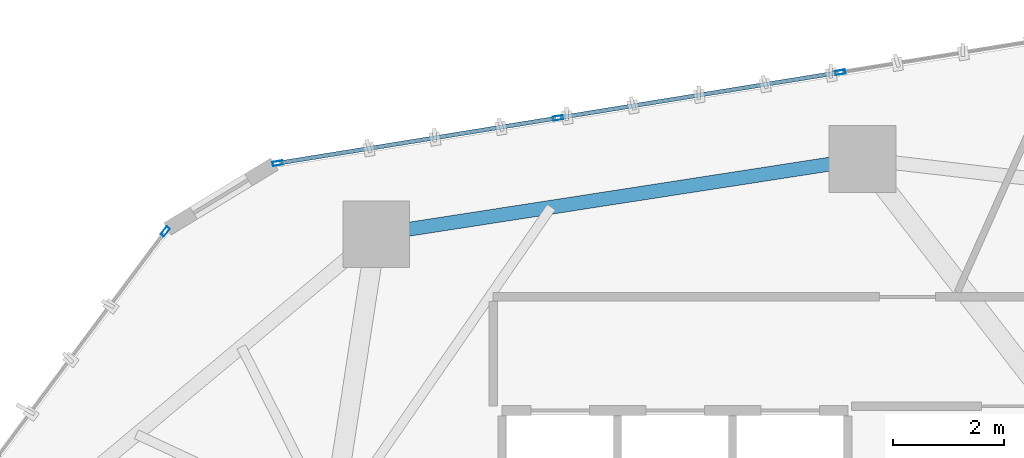
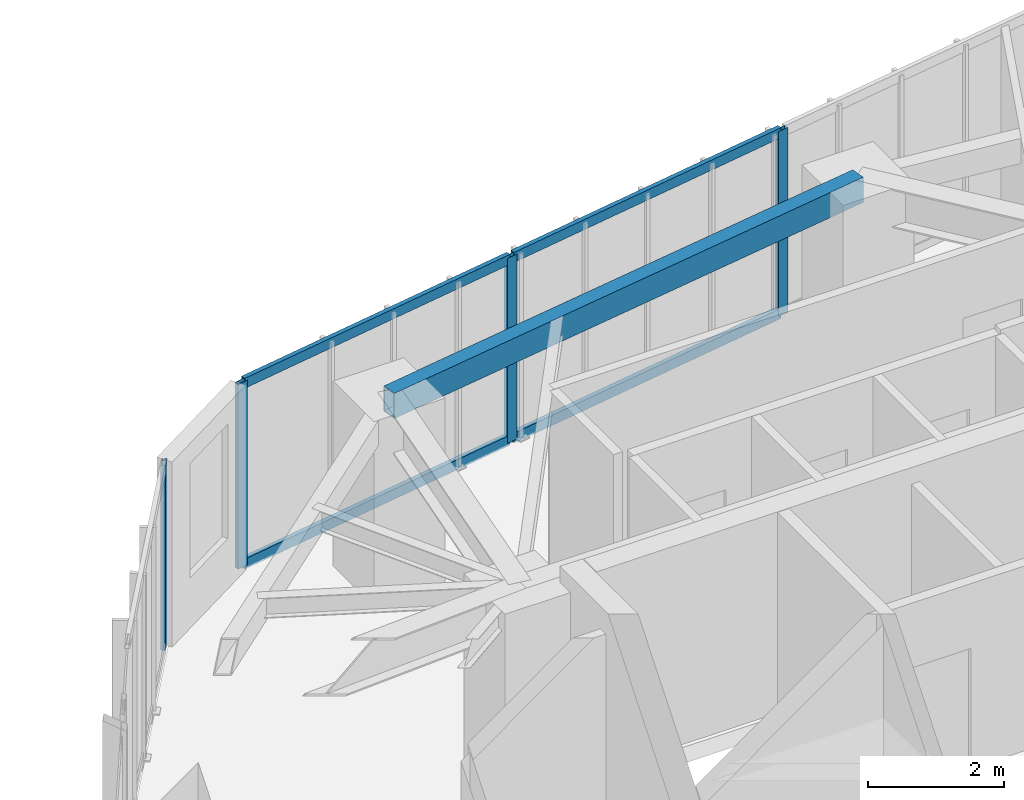
# One storey, part 15 of 23: 8 members, 1 beam, 2 elements without a shape of their own.
"""IFC4 building model written with IfcOpenShell, lengths in metres."""

import ifcopenshell
import ifcopenshell.guid

model = None  # the IFC model being written
_history = None  # IfcOwnerHistory: only IFC2X3 demands one
_inside = {}  # id of a spatial element -> (the spatial element, [elements in it])
_under = {}  # id of a project, library or spatial element -> (it, [spatial elements below it])
_declared = {}  # id of a project -> (the project, [libraries it declares])
_typed = {}  # id of a type object -> (the type object, [elements of that type])
_made_of = {}  # id of a material, layer set ... -> (it, [elements and type objects made of it])


def new_model(schema):
    """Start an empty IFC model of exactly this schema.

    Asked for "IFC4X3", IfcOpenShell would pick the latest addendum, in which some entities
    have other attributes; the version numbers below select the first issue.
    IFC2X3 requires an IfcOwnerHistory on every rooted entity: one is made here for all.
    """
    global model, _history
    if schema == "IFC4X3":
        model = ifcopenshell.file(schema_version=(4, 3, 0, 0))
    else:
        model = ifcopenshell.file(schema=schema)
    _inside.clear()
    _under.clear()
    _declared.clear()
    _typed.clear()
    _made_of.clear()
    _history = None
    if model.schema == "IFC2X3":
        org = make("IfcOrganization", Name="unknown")
        user = make(
            "IfcPersonAndOrganization",
            ThePerson=make("IfcPerson", FamilyName="unknown"),
            TheOrganization=org,
        )
        app = make(
            "IfcApplication",
            ApplicationDeveloper=org,
            Version="unknown",
            ApplicationFullName="unknown",
            ApplicationIdentifier="unknown",
        )
        _history = make(
            "IfcOwnerHistory",
            OwningUser=user,
            OwningApplication=app,
            ChangeAction="ADDED",
            CreationDate=0,
        )
    return model


def make(cls, **values):
    """One entity of the class cls with the attributes given. An attribute that is None is left unset."""
    return model.create_entity(
        cls, **{name: value for name, value in values.items() if value is not None}
    )


def rooted(cls, **values):
    """An entity with a GlobalId (a new one), such as an element, a storey or a relation."""
    return make(cls, GlobalId=ifcopenshell.guid.new(), OwnerHistory=_history, **values)


def si_unit(unit_type, name, prefix=None):
    """IfcSIUnit, for example si_unit("LENGTHUNIT", "METRE", prefix="MILLI")."""
    return make("IfcSIUnit", UnitType=unit_type, Prefix=prefix, Name=name)


def assignment(units):
    """IfcUnitAssignment: the units of a project."""
    return None if units is None else make("IfcUnitAssignment", Units=units)


def point(xyz):
    """IfcCartesianPoint."""
    return None if xyz is None else make("IfcCartesianPoint", Coordinates=xyz)


def direction(xyz):
    """IfcDirection."""
    return None if xyz is None else make("IfcDirection", DirectionRatios=xyz)


def frame(location, z_axis=None, x_axis=None):
    """IfcAxis2Placement3D, a coordinate frame: its origin and axes. An axis left out is left unset."""
    return make(
        "IfcAxis2Placement3D",
        Location=point(location),
        Axis=direction(z_axis),
        RefDirection=direction(x_axis),
    )


def frame_2d(location, x_axis=None):
    """IfcAxis2Placement2D, a coordinate frame in the plane: its origin and x axis."""
    return make(
        "IfcAxis2Placement2D", Location=point(location), RefDirection=direction(x_axis)
    )


def origin():
    """The frame at (0, 0, 0) with its axes left unset."""
    return frame((0.0, 0.0, 0.0))


def origin_2d():
    """The frame at (0, 0) in the plane with its x axis left unset."""
    return frame_2d((0.0, 0.0))


def place(relative_to, where):
    """IfcLocalPlacement: puts the frame where relative to a parent placement (None: the world)."""
    return make(
        "IfcLocalPlacement", PlacementRelTo=relative_to, RelativePlacement=where
    )


def context(
    kind, dimensions, precision=None, world=None, true_north=None, identifier=None
):
    """IfcGeometricRepresentationContext, for example the 3D "Model" context."""
    return make(
        "IfcGeometricRepresentationContext",
        ContextIdentifier=identifier,
        ContextType=kind,
        CoordinateSpaceDimension=dimensions,
        Precision=precision,
        WorldCoordinateSystem=world,
        TrueNorth=true_north,
    )


def subcontext(parent, identifier, kind, view, scale=None):
    """IfcGeometricRepresentationSubContext, for example "Body" below "Model"."""
    return make(
        "IfcGeometricRepresentationSubContext",
        ContextIdentifier=identifier,
        ContextType=kind,
        ParentContext=parent,
        TargetScale=scale,
        TargetView=view,
    )


def project(units=None, contexts=None):
    """IfcProject with its units and contexts."""
    return rooted(
        "IfcProject",
        Name="project",
        RepresentationContexts=contexts,
        UnitsInContext=assignment(units),
    )


def spatial(cls, under=None, at=None, **own):
    """A site, building, storey or space (cls), placed at a placement, below another one or the project."""
    s = rooted(cls, ObjectPlacement=at, **own)
    if under is not None:
        _under.setdefault(under.id(), (under, []))[1].append(s)
    return s


def profile(cls, at=None, kind="AREA", **sizes):
    """A parametric profile (cls). Its sizes go by their IFC names, for example OverallWidth=200.0."""
    return make(cls, ProfileType=kind, Position=at, **sizes)


def hollow_rectangle(**sizes):
    """IfcRectangleHollowProfileDef."""
    return profile("IfcRectangleHollowProfileDef", **sizes)


def extrude(swept, where, along, depth):
    """IfcExtrudedAreaSolid: the profile swept, set in the frame where, extruded along a direction by depth."""
    return make(
        "IfcExtrudedAreaSolid",
        SweptArea=swept,
        Position=where,
        ExtrudedDirection=direction(along),
        Depth=depth,
    )


def shape(context_of_items, identifier, shape_type, items):
    """IfcShapeRepresentation: the items that make up one representation, for example the "Body"."""
    return make(
        "IfcShapeRepresentation",
        ContextOfItems=context_of_items,
        RepresentationIdentifier=identifier,
        RepresentationType=shape_type,
        Items=items,
    )


def source(mapping_origin, context_of_items, identifier, shape_type, items):
    """IfcRepresentationMap: a shape defined once, which mapped items show again and again."""
    return make(
        "IfcRepresentationMap",
        MappingOrigin=mapping_origin,
        MappedRepresentation=shape(context_of_items, identifier, shape_type, items),
    )


def transform(
    local_origin,
    x_axis=None,
    y_axis=None,
    z_axis=None,
    scale=None,
    scale2=None,
    scale3=None,
    uniform=True,
):
    """IfcCartesianTransformationOperator3D, or its non-uniform kind. x_axis, y_axis, z_axis: its Axis1, 2, 3."""
    if uniform:
        return make(
            "IfcCartesianTransformationOperator3D",
            Axis1=direction(x_axis),
            Axis2=direction(y_axis),
            LocalOrigin=point(local_origin),
            Scale=scale,
            Axis3=direction(z_axis),
        )
    return make(
        "IfcCartesianTransformationOperator3DnonUniform",
        Axis1=direction(x_axis),
        Axis2=direction(y_axis),
        LocalOrigin=point(local_origin),
        Scale=scale,
        Axis3=direction(z_axis),
        Scale2=scale2,
        Scale3=scale3,
    )


def mapped(mapping_source, mapping_target):
    """IfcMappedItem: shows the shape of a source again, moved by a transform."""
    return make(
        "IfcMappedItem", MappingSource=mapping_source, MappingTarget=mapping_target
    )


def material(Name=None, Category=None):
    """IfcMaterial."""
    return make("IfcMaterial", Name=Name, Category=Category)


def layer(
    of_material, thickness, ventilated=None, Name=None, Category=None, Priority=None
):
    """IfcMaterialLayer: one layer of a wall or slab, of a material (None: an air gap)."""
    return make(
        "IfcMaterialLayer",
        Material=of_material,
        LayerThickness=thickness,
        IsVentilated=ventilated,
        Name=Name,
        Category=Category,
        Priority=Priority,
    )


def layer_set(layers, Name=None):
    """IfcMaterialLayerSet."""
    return make("IfcMaterialLayerSet", MaterialLayers=layers, LayerSetName=Name)


def material_profile(
    of_material, cross_section, Name=None, Category=None, Priority=None
):
    """IfcMaterialProfile: a cross section and its material."""
    return make(
        "IfcMaterialProfile",
        Name=Name,
        Material=of_material,
        Profile=cross_section,
        Priority=Priority,
        Category=Category,
    )


def profile_set(profiles, Name=None, composite=None):
    """IfcMaterialProfileSet."""
    return make(
        "IfcMaterialProfileSet",
        Name=Name,
        MaterialProfiles=profiles,
        CompositeProfile=composite,
    )


def made_of(thing, what):
    """Note that an element or type object is made of a material, layer set ...; save() writes the relation."""
    if what is not None:
        _made_of.setdefault(what.id(), (what, []))[1].append(thing)
    return thing


def type_object(cls, material=None, **own):
    """A type object (cls), such as IfcWallType, which elements share."""
    return made_of(rooted(cls, **own), material)


def type_shapes(of_type, sources):
    """Give a type object the sources (RepresentationMaps) that its elements show as mapped items."""
    of_type.RepresentationMaps = sources


def element(
    cls,
    number,
    at=None,
    inside=None,
    cuts=None,
    type_object=None,
    material=None,
    context=None,
    identifier="Body",
    shape_type=None,
    held_by="IfcProductDefinitionShape",
    body=None,
    shapes=None,
    **own,
):
    """One element of the class cls, such as IfcWall. Its Tag is "e" and its number.

    at: its placement. inside: the storey or other place that contains it. cuts: it is an
    opening in that element (IfcRelVoidsElement). A single representation is given by context,
    identifier, shape_type and body (its items); several are given by shapes. held_by: the class
    of the entity that holds the representations. save() writes the other relations.
    """
    e = rooted(cls, Tag="e%d" % number, ObjectPlacement=at, **own)
    if body is not None:
        shapes = [shape(context, identifier, shape_type, body)]
    if shapes is not None:
        e.Representation = make(held_by, Representations=shapes)
    if inside is not None:
        _inside.setdefault(inside.id(), (inside, []))[1].append(e)
    if cuts is not None:
        rooted(
            "IfcRelVoidsElement", RelatingBuildingElement=cuts, RelatedOpeningElement=e
        )
    if type_object is not None:
        _typed.setdefault(type_object.id(), (type_object, []))[1].append(e)
    return made_of(e, material)


def aggregate(whole, parts):
    """IfcRelAggregates: a whole, such as a stair, and the parts it consists of."""
    return rooted("IfcRelAggregates", RelatingObject=whole, RelatedObjects=parts)


def save(model, path):
    """Write the relations noted so far, then the file.

    IfcRelAggregates (storeys below a building ...), IfcRelContainedInSpatialStructure (elements
    in a storey), IfcRelDefinesByType, IfcRelAssociatesMaterial and IfcRelDeclares: one each for
    every whole, place, type object, material and project.
    """
    for whole, parts in _under.values():
        aggregate(whole, parts)
    for where, things in _inside.values():
        rooted(
            "IfcRelContainedInSpatialStructure",
            RelatedElements=things,
            RelatingStructure=where,
        )
    for kind, things in _typed.values():
        rooted("IfcRelDefinesByType", RelatedObjects=things, RelatingType=kind)
    for what, things in _made_of.values():
        rooted("IfcRelAssociatesMaterial", RelatedObjects=things, RelatingMaterial=what)
    for by, libraries in _declared.values():
        rooted("IfcRelDeclares", RelatingContext=by, RelatedDefinitions=libraries)
    model.write(path)


model = new_model("IFC4")

# Units and contexts
model_context = context("Model", 3, precision=1e-05, world=origin(), true_north=direction((0.0, 1.0)))
body_context = subcontext(model_context, "Body", "Model", "MODEL_VIEW")
ifc_project = project(units=[si_unit("LENGTHUNIT", "METRE"), si_unit("AREAUNIT", "SQUARE_METRE"), si_unit("VOLUMEUNIT", "CUBIC_METRE"), si_unit("PLANEANGLEUNIT", "RADIAN"), si_unit("MASSUNIT", "GRAM", prefix="KILO")], contexts=[model_context])

# Site, building, storey
site_placement = place(None, origin())
site = spatial("IfcSite", under=ifc_project, at=site_placement, CompositionType="ELEMENT")
building_placement = place(site_placement, origin())
building = spatial("IfcBuilding", under=site, at=building_placement, Name="Talar Marvaseh", CompositionType="ELEMENT")
storey_placement = place(building_placement, frame((0.0, 0.0, 118.199951171875)))
storey = spatial("IfcBuildingStorey", under=building, at=storey_placement, Name="L30", CompositionType="ELEMENT", Elevation=118.199951171875)

# Beam
ifc_material_1 = material(Name="Steel S355", Category="steel")
ifc_material_profile_1 = material_profile(ifc_material_1, hollow_rectangle(XDim=0.25, YDim=0.449951171875, WallThickness=0.01611328125, at=origin_2d()), Name="RHS450x250x16")
ifc_profile_set_1 = profile_set([ifc_material_profile_1], Name="Steel S355")
beam_type = type_object("IfcBeamType", Name="Zone 2 Perimeter Spandrel Beam RHS450x250x16", PredefinedType="SPANDREL", material=ifc_profile_set_1)
beam_placement = place(storey_placement, frame((19.5009765625, 42.123046875, 3.0849609375), z_axis=(0.988248879948, 0.152853365295, 0.0), x_axis=(-0.152853365295, 0.988248879948, 0.0)))
element("IfcBeam", 1, at=beam_placement, inside=storey, type_object=beam_type, Name="L30 Zone 2 Perimeter Spandrel Beam RHS450x250x16", PredefinedType="SPANDREL", context=body_context, shape_type="SweptSolid", body=[
    extrude(hollow_rectangle(XDim=0.25, YDim=0.449951171875, WallThickness=0.01611328125, at=origin_2d()), origin(), (0.0, 0.0, 1.0), 8.82470703125),
])

# Curtain wall, member
ifc_material_2 = material(Name="Architectural Aluminium", Category="aluminium")
ifc_layer = layer(ifc_material_2, 0.199951171875)
ifc_layer_set = layer_set([ifc_layer], Name="Architectural Aluminium")
curtain_wall_type = type_object("IfcCurtainWallType", Name="Unitised Acoustic Library Curtain Wall Z2", PredefinedType="NOTDEFINED", material=ifc_layer_set)
curtain_wall_1_placement = place(storey_placement, origin())
curtain_wall_1 = element("IfcCurtainWall", 2, at=curtain_wall_1_placement, inside=storey, type_object=curtain_wall_type, Name="L30 Unitised Acoustic Library Curtain Wall Z2", PredefinedType="NOTDEFINED")
ifc_material_profile_2 = material_profile(ifc_material_2, hollow_rectangle(XDim=0.074951171875, YDim=0.179931640625, WallThickness=0.0048828125, at=origin_2d()), Name="RHS180x75x5")
ifc_profile_set_2 = profile_set([ifc_material_profile_2], Name="Architectural Aluminium")
member_type_1 = type_object("IfcMemberType", Name="Unitised Curtain Wall Standard Mullion RHS180x75x5", PredefinedType="MULLION", material=ifc_profile_set_2)
shared_shape_1 = source(origin(), body_context, "Body", "SweptSolid", [
    extrude(hollow_rectangle(XDim=0.074951171875, YDim=0.179931640625, WallThickness=0.0048828125, at=origin_2d()), origin(), (0.0, 0.0, 1.0), 3.31005859375),
])
type_shapes(member_type_1, [shared_shape_1])
member_1_placement = place(storey_placement, frame((15.71630859375, 42.172607421875, 0.0), z_axis=(0.0, 0.0, 1.0), x_axis=(-0.801961380596, 0.597375881697, 0.0)))
member_1 = element("IfcMember", 3, at=member_1_placement, type_object=member_type_1, Name="CW-Z2 mullion 4", PredefinedType="MULLION", context=body_context, shape_type="MappedRepresentation", body=[
    mapped(shared_shape_1, transform((0.0, 0.0, 0.0), x_axis=(1.0, 0.0, 0.0), y_axis=(0.0, 1.0, 0.0), z_axis=(0.0, 0.0, 1.0), scale=1.0)),
])
aggregate(curtain_wall_1, [member_1])

# Curtain wall, members
curtain_wall_2_placement = place(storey_placement, origin())
curtain_wall_2 = element("IfcCurtainWall", 4, at=curtain_wall_2_placement, inside=storey, type_object=curtain_wall_type, Name="L30 Unitised Acoustic Library Curtain Wall Z2", PredefinedType="NOTDEFINED")
member_2_placement = place(storey_placement, frame((17.733642578125, 43.396728515625, 0.0), z_axis=(0.0, 0.0, 1.0), x_axis=(-0.159570117963, 0.987186597079, 0.0)))
member_2 = element("IfcMember", 5, at=member_2_placement, type_object=member_type_1, Name="CW-Z2 mullion 1", PredefinedType="MULLION", context=body_context, shape_type="MappedRepresentation", body=[
    mapped(shared_shape_1, transform((0.0, 0.0, 0.0), x_axis=(1.0, 0.0, 0.0), y_axis=(0.0, 1.0, 0.0), z_axis=(0.0, 0.0, 1.0), scale=1.0)),
])
member_3_placement = place(storey_placement, frame((22.760986328125, 44.20947265625, 0.0), z_axis=(0.0, 0.0, 1.0), x_axis=(-0.159570117963, 0.987186597079, 0.0)))
member_3 = element("IfcMember", 6, at=member_3_placement, type_object=member_type_1, Name="CW-Z2 mullion 2", PredefinedType="MULLION", context=body_context, shape_type="MappedRepresentation", body=[
    mapped(shared_shape_1, transform((0.0, 0.0, 0.0), x_axis=(1.0, 0.0, 0.0), y_axis=(0.0, 1.0, 0.0), z_axis=(0.0, 0.0, 1.0), scale=1.0)),
])
member_4_placement = place(storey_placement, frame((27.8251953125, 45.028076171875, 0.0), z_axis=(0.0, 0.0, 1.0), x_axis=(-0.159570117963, 0.987186597079, 0.0)))
member_4 = element("IfcMember", 7, at=member_4_placement, type_object=member_type_1, Name="CW-Z2 mullion 3", PredefinedType="MULLION", context=body_context, shape_type="MappedRepresentation", body=[
    mapped(shared_shape_1, transform((0.0, 0.0, 0.0), x_axis=(1.0, 0.0, 0.0), y_axis=(0.0, 1.0, 0.0), z_axis=(0.0, 0.0, 1.0), scale=1.0)),
])
ifc_material_profile_3 = material_profile(ifc_material_2, hollow_rectangle(XDim=0.074951171875, YDim=0.179931640625, WallThickness=0.0048828125, at=origin_2d()), Name="RHS180x75x5")
ifc_profile_set_3 = profile_set([ifc_material_profile_3], Name="Architectural Aluminium")
member_type_2 = type_object("IfcMemberType", Name="Unitised Curtain Wall Transom RHS180x75x5", PredefinedType="USERDEFINED", material=ifc_profile_set_3)
shared_shape_2 = source(origin(), body_context, "Body", "SweptSolid", [
    extrude(hollow_rectangle(XDim=0.074951171875, YDim=0.179931640625, WallThickness=0.0048828125, at=origin_2d()), origin(), (0.0, 0.0, 1.0), 5.054931640625),
])
member_5_placement = place(storey_placement, frame((22.7978515625, 44.21533203125, 0.03759765625), z_axis=(0.987186201678, 0.159572564107, 0.0), x_axis=(-0.159572564107, 0.987186201678, 0.0)))
member_5 = element("IfcMember", 8, at=member_5_placement, type_object=member_type_2, Name="CW-Z2 transom 2.1", ObjectType="TRANSOM", PredefinedType="USERDEFINED", context=body_context, shape_type="MappedRepresentation", body=[
    mapped(shared_shape_2, transform((0.0, 0.0, 0.0), x_axis=(1.0, 0.0, 0.0), y_axis=(0.0, 1.0, 0.0), z_axis=(0.0, 0.0, 1.0), scale=1.0)),
])
member_6_placement = place(storey_placement, frame((22.7978515625, 44.21533203125, 3.2724609375), z_axis=(0.987186201678, 0.159572564107, 0.0), x_axis=(-0.159572564107, 0.987186201678, 0.0)))
member_6 = element("IfcMember", 9, at=member_6_placement, type_object=member_type_2, Name="CW-Z2 transom 2.2", ObjectType="TRANSOM", PredefinedType="USERDEFINED", context=body_context, shape_type="MappedRepresentation", body=[
    mapped(shared_shape_2, transform((0.0, 0.0, 0.0), x_axis=(1.0, 0.0, 0.0), y_axis=(0.0, 1.0, 0.0), z_axis=(0.0, 0.0, 1.0), scale=1.0)),
])
shared_shape_3 = source(origin(), body_context, "Body", "SweptSolid", [
    extrude(hollow_rectangle(XDim=0.074951171875, YDim=0.179931640625, WallThickness=0.0048828125, at=origin_2d()), origin(), (0.0, 0.0, 1.0), 5.017333984375),
])
type_shapes(member_type_2, [shared_shape_2, shared_shape_3])
member_7_placement = place(storey_placement, frame((17.770751953125, 43.40283203125, 0.03759765625), z_axis=(0.987189498517, 0.159552167076, 0.0), x_axis=(-0.159552167076, 0.987189498517, 0.0)))
member_7 = element("IfcMember", 10, at=member_7_placement, type_object=member_type_2, Name="CW-Z2 transom 1.1", ObjectType="TRANSOM", PredefinedType="USERDEFINED", context=body_context, shape_type="MappedRepresentation", body=[
    mapped(shared_shape_3, transform((0.0, 0.0, 0.0), x_axis=(1.0, 0.0, 0.0), y_axis=(0.0, 1.0, 0.0), z_axis=(0.0, 0.0, 1.0), scale=1.0)),
])
member_8_placement = place(storey_placement, frame((17.770751953125, 43.40283203125, 3.2724609375), z_axis=(0.987189498517, 0.159552167076, 0.0), x_axis=(-0.159552167076, 0.987189498517, 0.0)))
member_8 = element("IfcMember", 11, at=member_8_placement, type_object=member_type_2, Name="CW-Z2 transom 1.2", ObjectType="TRANSOM", PredefinedType="USERDEFINED", context=body_context, shape_type="MappedRepresentation", body=[
    mapped(shared_shape_3, transform((0.0, 0.0, 0.0), x_axis=(1.0, 0.0, 0.0), y_axis=(0.0, 1.0, 0.0), z_axis=(0.0, 0.0, 1.0), scale=1.0)),
])
aggregate(curtain_wall_2, [member_2, member_3, member_4, member_7, member_8, member_5, member_6])

save(model, "model.ifc")
